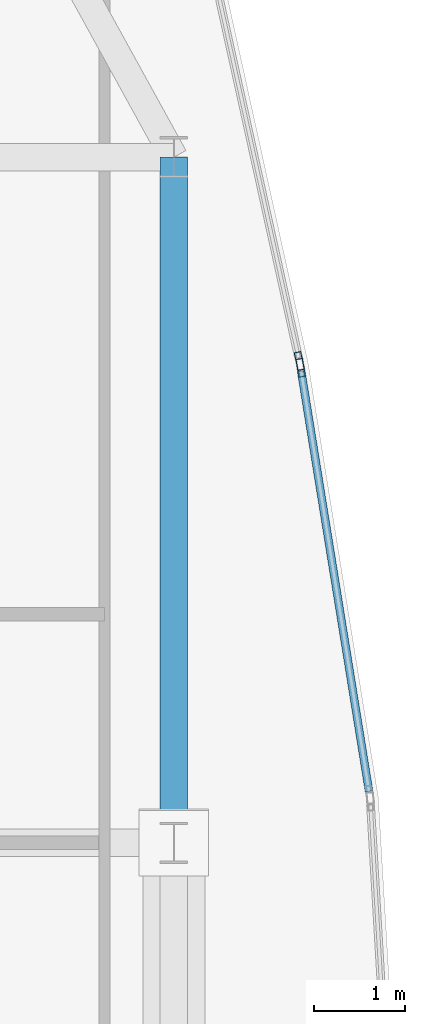
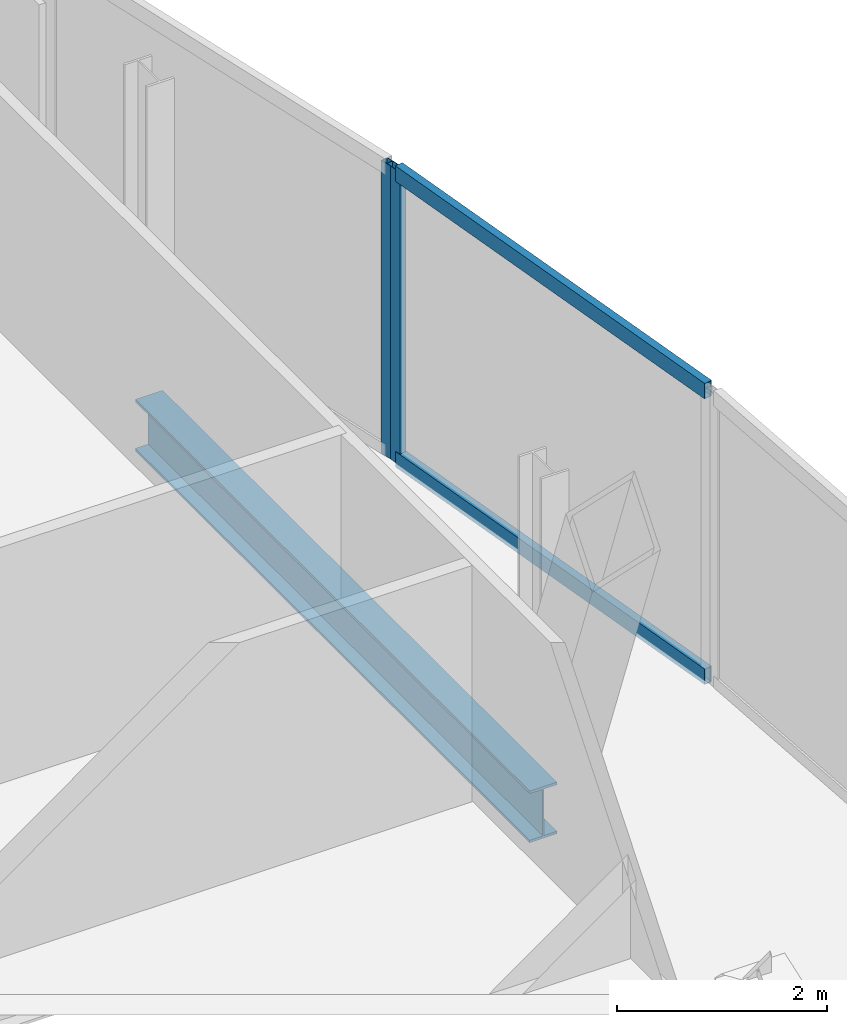
# One storey, part 20 of 31: 4 members, 1 beam, 2 elements without a shape of their own.
"""IFC4 building model written with IfcOpenShell, lengths in metres."""

from ifc_helpers import new_model, si_unit, direction, frame, origin, origin_2d, place, context, subcontext, project, spatial, hollow_rectangle, i_section, extrude, material, material_profile, profile_set, type_object, element, aggregate, save


model = new_model("IFC4")

# Units and contexts
model_context = context("Model", 3, precision=1e-05, world=origin(), true_north=direction((0.0, 1.0)))
body_context = subcontext(model_context, "Body", "Model", "MODEL_VIEW")
ifc_project = project(units=[si_unit("LENGTHUNIT", "METRE"), si_unit("AREAUNIT", "SQUARE_METRE"), si_unit("VOLUMEUNIT", "CUBIC_METRE"), si_unit("PLANEANGLEUNIT", "RADIAN"), si_unit("MASSUNIT", "GRAM", prefix="KILO")], contexts=[model_context])

# Site, building, storey
site_placement = place(None, origin())
site = spatial("IfcSite", under=ifc_project, at=site_placement, CompositionType="ELEMENT")
building_placement = place(site_placement, origin())
building = spatial("IfcBuilding", under=site, at=building_placement, Name="Khoronbel Lancet Exchange", CompositionType="ELEMENT")
storey_placement = place(building_placement, frame((0.0, 0.0, 261.800048828125)))
storey = spatial("IfcBuildingStorey", under=building, at=storey_placement, Name="L67", CompositionType="ELEMENT", Elevation=261.800048828125)

# Beam
ifc_material_1 = material(Name="Steel S355", Category="steel")
ifc_material_profile_1 = material_profile(ifc_material_1, i_section(OverallWidth=0.300048828125, OverallDepth=0.60009765625, WebThickness=0.015380859375, FlangeThickness=0.030029296875, at=origin_2d()), Name="HEB 600")
ifc_profile_set_1 = profile_set([ifc_material_profile_1], Name="Steel S355")
beam_type = type_object("IfcBeamType", Name="BM-BSP2", PredefinedType="SPANDREL", material=ifc_profile_set_1)
beam_placement = place(storey_placement, frame((63.6298828125, 35.699951171875, -0.4599609375), z_axis=(0.0, 1.0, 0.0), x_axis=(-1.0, 0.0, 0.0)))
element("IfcBeam", 1, at=beam_placement, inside=storey, type_object=beam_type, Name="Level L67 perimeter spandrel beam SP14", PredefinedType="SPANDREL", context=body_context, shape_type="SweptSolid", body=[
    extrude(i_section(OverallWidth=0.300048828125, OverallDepth=0.60009765625, WebThickness=0.015380859375, FlangeThickness=0.030029296875, at=origin_2d()), origin(), (0.0, 0.0, 1.0), 7.5),
])

# Curtain wall, member
ifc_material_2 = material(Name="Low-E Solar Control Insulating Glass", Category="glass")
curtain_wall_type = type_object("IfcCurtainWallType", Name="CW-4", PredefinedType="NOTDEFINED", material=ifc_material_2)
curtain_wall_1_placement = place(storey_placement, origin())
curtain_wall_1 = element("IfcCurtainWall", 2, at=curtain_wall_1_placement, inside=storey, type_object=curtain_wall_type, Name="Unitised curtain wall CW-L67-E17", PredefinedType="NOTDEFINED")
ifc_material_3 = material(Name="Bronze-Anodised Aluminium 6063-T6", Category="aluminium")
ifc_material_profile_2 = material_profile(ifc_material_3, hollow_rectangle(XDim=0.074951171875, YDim=0.199951171875, WallThickness=0.0048828125, at=origin_2d()), Name="ALU MULLION 75x200")
ifc_profile_set_2 = profile_set([ifc_material_profile_2], Name="Bronze-Anodised Aluminium 6063-T6")
member_type_1 = type_object("IfcMemberType", Name="MEM-CWM2", PredefinedType="MULLION", material=ifc_profile_set_2)
member_1_placement = place(storey_placement, frame((65.001708984375, 40.9697265625, 0.0), z_axis=(0.0, 0.0, 1.0), x_axis=(0.976509102721, 0.215476152515, 0.0)))
member_1 = element("IfcMember", 3, at=member_1_placement, type_object=member_type_1, Name="CW4 mullion 2", PredefinedType="MULLION", context=body_context, shape_type="SweptSolid", body=[
    extrude(hollow_rectangle(XDim=0.074951171875, YDim=0.199951171875, WallThickness=0.0048828125, at=origin_2d()), origin(), (0.0, 0.0, 1.0), 3.39990234375),
])
aggregate(curtain_wall_1, [member_1])

# Curtain wall, members
curtain_wall_2_placement = place(storey_placement, origin())
curtain_wall_2 = element("IfcCurtainWall", 4, at=curtain_wall_2_placement, inside=storey, type_object=curtain_wall_type, Name="Unitised curtain wall CW-L67-E18", PredefinedType="NOTDEFINED")
member_2_placement = place(storey_placement, frame((65.015625, 40.89599609375, 0.0), z_axis=(0.0, 0.0, 1.0), x_axis=(0.987205103846, 0.159455582972, 0.0)))
member_2 = element("IfcMember", 5, at=member_2_placement, type_object=member_type_1, Name="CW4 mullion 1", PredefinedType="MULLION", context=body_context, shape_type="SweptSolid", body=[
    extrude(hollow_rectangle(XDim=0.074951171875, YDim=0.199951171875, WallThickness=0.0048828125, at=origin_2d()), origin(), (0.0, 0.0, 1.0), 3.39990234375),
])
ifc_material_profile_3 = material_profile(ifc_material_3, hollow_rectangle(XDim=0.0849609375, YDim=0.179931640625, WallThickness=0.0048828125, at=origin_2d()), Name="ALU TRANSOM 85x180")
ifc_profile_set_3 = profile_set([ifc_material_profile_3], Name="Bronze-Anodised Aluminium 6063-T6")
member_type_2 = type_object("IfcMemberType", Name="MEM-CWT1", PredefinedType="USERDEFINED", material=ifc_profile_set_3)
member_3_placement = place(storey_placement, frame((65.021728515625, 40.859130859375, 0.04248046875), z_axis=(0.159455064568, -0.987205187579, 0.0), x_axis=(0.987205187579, 0.159455064568, 0.0)))
member_3 = element("IfcMember", 6, at=member_3_placement, type_object=member_type_2, Name="CW4 transom 1.1", ObjectType="TRANSOM", PredefinedType="USERDEFINED", context=body_context, shape_type="SweptSolid", body=[
    extrude(hollow_rectangle(XDim=0.0849609375, YDim=0.179931640625, WallThickness=0.0048828125, at=origin_2d()), origin(), (0.0, 0.0, 1.0), 4.654541015625),
])
member_4_placement = place(storey_placement, frame((65.021728515625, 40.859130859375, 3.357421875), z_axis=(0.159455064568, -0.987205187579, 0.0), x_axis=(0.987205187579, 0.159455064568, 0.0)))
member_4 = element("IfcMember", 7, at=member_4_placement, type_object=member_type_2, Name="CW4 transom 1.2", ObjectType="TRANSOM", PredefinedType="USERDEFINED", context=body_context, shape_type="SweptSolid", body=[
    extrude(hollow_rectangle(XDim=0.0849609375, YDim=0.179931640625, WallThickness=0.0048828125, at=origin_2d()), origin(), (0.0, 0.0, 1.0), 4.654541015625),
])
aggregate(curtain_wall_2, [member_2, member_3, member_4])

save(model, "model.ifc")
